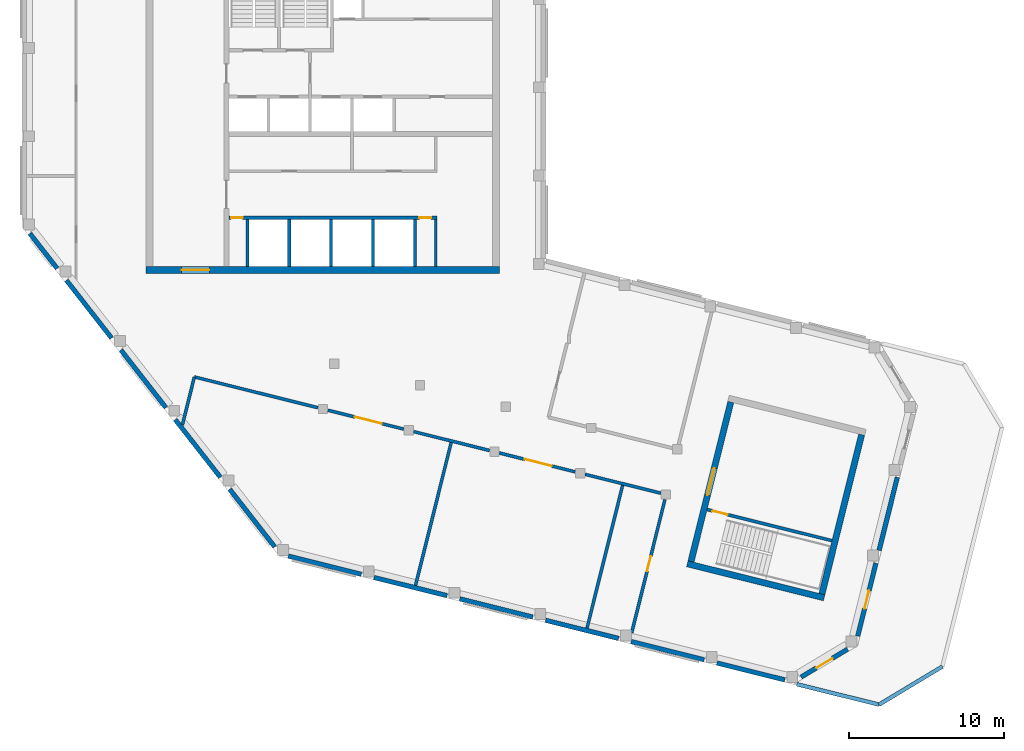
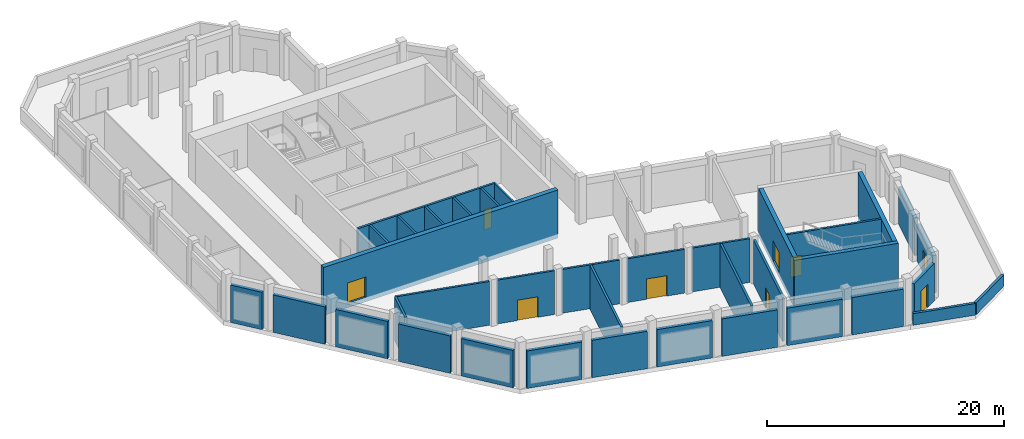
# One storey, part 2 of 6: 37 walls, 10 doors, 10 openings.
"""IFC4 building model written with IfcOpenShell, lengths in metres."""

from ifc_helpers import new_model, si_unit, direction, frame, frame_2d, origin, place, context, subcontext, project, spatial, rectangle, extrude, material, layer, layer_set, type_object, element, fill, save


model = new_model("IFC4")

# Units and contexts
model_context = context("Model", 3, precision=1e-05, world=origin(), true_north=direction((0.0, 1.0)))
body_context = subcontext(model_context, "Body", "Model", "MODEL_VIEW")
ifc_project = project(units=[si_unit("LENGTHUNIT", "METRE"), si_unit("AREAUNIT", "SQUARE_METRE"), si_unit("VOLUMEUNIT", "CUBIC_METRE"), si_unit("PLANEANGLEUNIT", "RADIAN"), si_unit("MASSUNIT", "GRAM", prefix="KILO")], contexts=[model_context])

# Site, building, storey
site_placement = place(None, origin())
site = spatial("IfcSite", under=ifc_project, at=site_placement, CompositionType="ELEMENT")
building_placement = place(site_placement, origin())
building = spatial("IfcBuilding", under=site, at=building_placement, Name="Meshkara Civic Tower", CompositionType="ELEMENT")
storey_placement = place(building_placement, frame((0.0, 0.0, 400.199951171875)))
storey = spatial("IfcBuildingStorey", under=building, at=storey_placement, Name="L92 Crown", CompositionType="ELEMENT", Elevation=400.199951171875)

# Walls
ifc_material_1 = material(Name="Insulated infill panel with bronze anodised aluminium cladding", Category="aluminium")
ifc_layer_1 = layer(ifc_material_1, 0.300048828125)
ifc_layer_set_1 = layer_set([ifc_layer_1], Name="CROWN WALL 300")
wall_type_1 = type_object("IfcWallType", Name="CROWN WALL 300", PredefinedType="SOLIDWALL", material=ifc_layer_set_1)
wall_1_placement = place(storey_placement, frame((0.51611328125, 16.68310546875, 0.0), z_axis=(0.0, 0.0, 1.0), x_axis=(0.615483207854, -0.788149998953, 0.0)))
element("IfcWall", 1, at=wall_1_placement, inside=storey, type_object=wall_type_1, Name="Crown external wall", PredefinedType="SOLIDWALL", context=body_context, shape_type="SweptSolid", body=[
    extrude(rectangle(XDim=2.857666015625, YDim=0.300048828125, at=frame_2d((1.4287109375, 0.0))), origin(), (0.0, 0.0, 1.0), 3.85009765625),
])
wall_2_placement = place(storey_placement, frame((2.8798828125, 13.656982421875, 0.0), z_axis=(0.0, 0.0, 1.0), x_axis=(0.61578764214, -0.787912165021, 0.0)))
element("IfcWall", 2, at=wall_2_placement, inside=storey, type_object=wall_type_1, Name="Crown external wall", PredefinedType="SOLIDWALL", context=body_context, shape_type="SweptSolid", body=[
    extrude(rectangle(XDim=4.717529296875, YDim=0.300048828125, at=frame_2d((2.35888671875, 0.0))), origin(), (0.0, 0.0, 1.0), 3.85009765625),
])
wall_3_placement = place(storey_placement, frame((6.388916015625, 9.1650390625, 0.0), z_axis=(0.0, 0.0, 1.0), x_axis=(0.61568721755, -0.7879906409, 0.0)))
element("IfcWall", 3, at=wall_3_placement, inside=storey, type_object=wall_type_1, Name="Crown external wall", PredefinedType="SOLIDWALL", context=body_context, shape_type="SweptSolid", body=[
    extrude(rectangle(XDim=4.71826171875, YDim=0.300048828125, at=frame_2d((2.359130859375, 0.0))), origin(), (0.0, 0.0, 1.0), 3.85009765625),
])
wall_4_placement = place(storey_placement, frame((9.89892578125, 4.673095703125, 0.0), z_axis=(0.0, 0.0, 1.0), x_axis=(0.615659107807, -0.788012603309, 0.0)))
element("IfcWall", 4, at=wall_4_placement, inside=storey, type_object=wall_type_1, Name="Crown external wall", PredefinedType="SOLIDWALL", context=body_context, shape_type="SweptSolid", body=[
    extrude(rectangle(XDim=4.717041015625, YDim=0.300048828125, at=frame_2d((2.3583984375, 0.0))), origin(), (0.0, 0.0, 1.0), 3.85009765625),
])
wall_5_placement = place(storey_placement, frame((13.407958984375, 0.181884765625, 0.0), z_axis=(0.0, 0.0, 1.0), x_axis=(0.61568421867, -0.78799298403, 0.0)))
element("IfcWall", 5, at=wall_5_placement, inside=storey, type_object=wall_type_1, Name="Crown external wall", PredefinedType="SOLIDWALL", context=body_context, shape_type="SweptSolid", body=[
    extrude(rectangle(XDim=4.716796875, YDim=0.300048828125, at=frame_2d((2.3583984375, 0.0))), origin(), (0.0, 0.0, 1.0), 3.85009765625),
])
wall_6_placement = place(storey_placement, frame((17.18994140625, -4.132080078125, 0.0), z_axis=(0.0, 0.0, 1.0), x_axis=(0.970343440388, -0.241730444287, 0.0)))
element("IfcWall", 6, at=wall_6_placement, inside=storey, type_object=wall_type_1, Name="Crown external wall", PredefinedType="SOLIDWALL", context=body_context, shape_type="SweptSolid", body=[
    extrude(rectangle(XDim=4.851806640625, YDim=0.300048828125, at=frame_2d((2.42578125, 0.0))), origin(), (0.0, 0.0, 1.0), 3.85009765625),
])
wall_7_placement = place(storey_placement, frame((22.720947265625, -5.510986328125, 0.0), z_axis=(0.0, 0.0, 1.0), x_axis=(0.970319867473, -0.241825049959, 0.0)))
element("IfcWall", 7, at=wall_7_placement, inside=storey, type_object=wall_type_1, Name="Crown external wall", PredefinedType="SOLIDWALL", context=body_context, shape_type="SweptSolid", body=[
    extrude(rectangle(XDim=4.85107421875, YDim=0.300048828125, at=frame_2d((2.425537109375, 0.0))), origin(), (0.0, 0.0, 1.0), 3.85009765625),
])
wall_8_placement = place(storey_placement, frame((28.2509765625, -6.888916015625, 0.0), z_axis=(0.0, 0.0, 1.0), x_axis=(0.970284401049, -0.241967314076, 0.0)))
element("IfcWall", 8, at=wall_8_placement, inside=storey, type_object=wall_type_1, Name="Crown external wall", PredefinedType="SOLIDWALL", context=body_context, shape_type="SweptSolid", body=[
    extrude(rectangle(XDim=4.852294921875, YDim=0.300048828125, at=frame_2d((2.42626953125, 0.0))), origin(), (0.0, 0.0, 1.0), 3.85009765625),
])
wall_9_placement = place(storey_placement, frame((33.781982421875, -8.26904296875, 0.0), z_axis=(0.0, 0.0, 1.0), x_axis=(0.970343440388, -0.241730444287, 0.0)))
element("IfcWall", 9, at=wall_9_placement, inside=storey, type_object=wall_type_1, Name="Crown external wall", PredefinedType="SOLIDWALL", context=body_context, shape_type="SweptSolid", body=[
    extrude(rectangle(XDim=4.851806640625, YDim=0.300048828125, at=frame_2d((2.42578125, 0.0))), origin(), (0.0, 0.0, 1.0), 3.85009765625),
])
wall_10_placement = place(storey_placement, frame((39.31298828125, -9.64794921875, 0.0), z_axis=(0.0, 0.0, 1.0), x_axis=(0.970319867473, -0.241825049959, 0.0)))
element("IfcWall", 10, at=wall_10_placement, inside=storey, type_object=wall_type_1, Name="Crown external wall", PredefinedType="SOLIDWALL", context=body_context, shape_type="SweptSolid", body=[
    extrude(rectangle(XDim=4.85107421875, YDim=0.300048828125, at=frame_2d((2.425537109375, 0.0))), origin(), (0.0, 0.0, 1.0), 3.85009765625),
])
wall_11_placement = place(storey_placement, frame((44.843017578125, -11.02587890625, 0.0), z_axis=(0.0, 0.0, 1.0), x_axis=(0.970256998142, -0.242077172729, 0.0)))
element("IfcWall", 11, at=wall_11_placement, inside=storey, type_object=wall_type_1, Name="Crown external wall", PredefinedType="SOLIDWALL", context=body_context, shape_type="SweptSolid", body=[
    extrude(rectangle(XDim=4.51123046875, YDim=0.300048828125, at=frame_2d((2.255615234375, 0.0))), origin(), (0.0, 0.0, 1.0), 3.85009765625),
])

# Wall, opening, door
wall_12_placement = place(storey_placement, frame((50.27001953125, -11.93896484375, 0.0), z_axis=(0.0, 0.0, 1.0), x_axis=(0.857216082003, 0.514956880481, 0.0)))
wall_12 = element("IfcWall", 12, at=wall_12_placement, inside=storey, type_object=wall_type_1, Name="Crown external wall", PredefinedType="SOLIDWALL", context=body_context, shape_type="SweptSolid", body=[
    extrude(rectangle(XDim=3.503173828125, YDim=0.300048828125, at=frame_2d((1.75146484375, 0.0))), origin(), (0.0, 0.0, 1.0), 3.85009765625),
])
opening_1_placement = place(wall_12_placement, frame((1.152099609375, 0.0, 0.0)))
opening_1 = element("IfcOpeningElement", 13, at=opening_1_placement, cuts=wall_12, Name="Opening L92 Crown-L005", PredefinedType="OPENING", context=body_context, shape_type="SweptSolid", body=[
    extrude(rectangle(XDim=1.199951171875, YDim=2.39990234375, at=frame_2d((0.60009765625, 1.199951171875))), frame((0.0, 0.159912109375, 0.0), z_axis=(0.0, -1.0, 0.0), x_axis=(1.0, 0.0, 0.0)), (0.0, 0.0, 1.0), 0.320068359375),
])
ifc_material_2 = material(Name="Steel S355", Category="steel")
door_type_1 = type_object("IfcDoorType", Name="ROOF ACCESS DOOR 1200x2400", OperationType="SINGLE_SWING_LEFT", PredefinedType="DOOR", material=ifc_material_2)
door_1_placement = place(opening_1_placement, origin())
door_1 = element("IfcDoor", 14, at=door_1_placement, inside=storey, type_object=door_type_1, Name="L92 Crown-L005", OperationType="SINGLE_SWING_LEFT", OverallHeight=2.39990234375, OverallWidth=1.199951171875, PredefinedType="DOOR", context=body_context, shape_type="SweptSolid", body=[
    extrude(rectangle(XDim=1.199951171875, YDim=2.39990234375, at=frame_2d((0.60009765625, 1.199951171875))), frame((0.0, 0.02490234375, 0.0), z_axis=(0.0, -1.0, 0.0), x_axis=(1.0, 0.0, 0.0)), (0.0, 0.0, 1.0), 0.050048828125),
])
fill(opening_1, door_1)

wall_13_placement = place(storey_placement, frame((53.924072265625, -9.291015625, 0.0), z_axis=(0.0, 0.0, 1.0), x_axis=(0.241919943578, 0.970296212968, 0.0)))
wall_13 = element("IfcWall", 15, at=wall_13_placement, inside=storey, type_object=wall_type_1, Name="Crown external wall", PredefinedType="SOLIDWALL", context=body_context, shape_type="SweptSolid", body=[
    extrude(rectangle(XDim=4.85205078125, YDim=0.300048828125, at=frame_2d((2.426025390625, 0.0))), origin(), (0.0, 0.0, 1.0), 3.85009765625),
])
opening_2_placement = place(wall_13_placement, frame((1.825927734375, 0.0, 0.0)))
opening_2 = element("IfcOpeningElement", 16, at=opening_2_placement, cuts=wall_13, Name="Opening L92 Crown-L006", PredefinedType="OPENING", context=body_context, shape_type="SweptSolid", body=[
    extrude(rectangle(XDim=1.199951171875, YDim=2.39990234375, at=frame_2d((0.60009765625, 1.199951171875))), frame((0.0, 0.159912109375, 0.0), z_axis=(0.0, -1.0, 0.0), x_axis=(1.0, 0.0, 0.0)), (0.0, 0.0, 1.0), 0.320068359375),
])
door_2_placement = place(opening_2_placement, origin())
door_2 = element("IfcDoor", 17, at=door_2_placement, inside=storey, type_object=door_type_1, Name="L92 Crown-L006", OperationType="SINGLE_SWING_LEFT", OverallHeight=2.39990234375, OverallWidth=1.199951171875, PredefinedType="DOOR", context=body_context, shape_type="SweptSolid", body=[
    extrude(rectangle(XDim=1.199951171875, YDim=2.39990234375, at=frame_2d((0.60009765625, 1.199951171875))), frame((0.0, 0.02490234375, 0.0), z_axis=(0.0, -1.0, 0.0), x_axis=(1.0, 0.0, 0.0)), (0.0, 0.0, 1.0), 0.050048828125),
])
fill(opening_2, door_2)

# Walls
wall_14_placement = place(storey_placement, frame((55.302978515625, -3.760009765625, 0.0), z_axis=(0.0, 0.0, 1.0), x_axis=(0.242014574744, 0.970272614069, 0.0)))
element("IfcWall", 18, at=wall_14_placement, inside=storey, type_object=wall_type_1, Name="Crown external wall", PredefinedType="SOLIDWALL", context=body_context, shape_type="SweptSolid", body=[
    extrude(rectangle(XDim=4.851318359375, YDim=0.300048828125, at=frame_2d((2.42578125, 0.0))), origin(), (0.0, 0.0, 1.0), 3.85009765625),
])
ifc_material_3 = material(Name="Blockwork", Category="masonry")
ifc_layer_2 = layer(ifc_material_3, 0.14990234375)
ifc_layer_set_2 = layer_set([ifc_layer_2], Name="Core partition 150")
wall_type_2 = type_object("IfcWallType", Name="Core partition 150", PredefinedType="PARTITIONING", material=ifc_layer_set_2)
wall_15_placement = place(storey_placement, frame((26.699951171875, 14.550048828125, 0.0), z_axis=(0.0, 0.0, 1.0), x_axis=(0.0, 1.0, 0.0)))
element("IfcWall", 19, at=wall_15_placement, inside=storey, type_object=wall_type_2, Name="L92 Crown-C024", PredefinedType="PARTITIONING", context=body_context, shape_type="SweptSolid", body=[
    extrude(rectangle(XDim=3.050048828125, YDim=0.14990234375, at=frame_2d((1.52490234375, 0.0))), origin(), (0.0, 0.0, 1.0), 4.5),
])

# Wall, opening, door
ifc_material_4 = material(Name="Concrete C50", Category="concrete")
ifc_layer_3 = layer(ifc_material_4, 0.449951171875)
ifc_layer_set_3 = layer_set([ifc_layer_3], Name="Core ring wall 450 C50")
wall_type_3 = type_object("IfcWallType", Name="Core ring wall 450 C50", PredefinedType="SHEAR", material=ifc_layer_set_3)
wall_16_placement = place(storey_placement, frame((8.0, 14.324951171875, -0.449951171875), z_axis=(0.0, 0.0, 1.0), x_axis=(1.0, 0.0, 0.0)))
wall_16 = element("IfcWall", 20, at=wall_16_placement, inside=storey, type_object=wall_type_3, Name="L92 Crown-C001", PredefinedType="SHEAR", context=body_context, shape_type="SweptSolid", body=[
    extrude(rectangle(XDim=22.800048828125, YDim=0.449951171875, at=frame_2d((11.39990234375, 0.0))), origin(), (0.0, 0.0, 1.0), 4.949951171875),
])
opening_3_placement = place(wall_16_placement, frame((2.300048828125, 0.0, 0.449951171875)))
opening_3 = element("IfcOpeningElement", 21, at=opening_3_placement, cuts=wall_16, Name="Opening L92 Crown-K018", PredefinedType="OPENING", context=body_context, shape_type="SweptSolid", body=[
    extrude(rectangle(XDim=1.800048828125, YDim=2.10009765625, at=frame_2d((0.89990234375, 1.050048828125))), frame((0.0, 0.23486328125, 0.0), z_axis=(0.0, -1.0, 0.0), x_axis=(1.0, 0.0, 0.0)), (0.0, 0.0, 1.0), 0.469970703125),
])
ifc_material_5 = material(Name="Fire-rated door leaf in steel frame", Category="steel")
door_type_2 = type_object("IfcDoorType", Name="Core double door 1800 EI 60", OperationType="DOUBLE_DOOR_SINGLE_SWING", PredefinedType="DOOR", material=ifc_material_5)
door_3_placement = place(opening_3_placement, origin())
door_3 = element("IfcDoor", 22, at=door_3_placement, inside=storey, type_object=door_type_2, Name="L92 Crown-K018", OperationType="DOUBLE_DOOR_SINGLE_SWING", OverallHeight=2.10009765625, OverallWidth=1.800048828125, PredefinedType="DOOR", context=body_context, shape_type="SweptSolid", body=[
    extrude(rectangle(XDim=1.800048828125, YDim=2.10009765625, at=frame_2d((0.89990234375, 1.050048828125))), frame((0.0, 0.02490234375, 0.0), z_axis=(0.0, -1.0, 0.0), x_axis=(1.0, 0.0, 0.0)), (0.0, 0.0, 1.0), 0.050048828125),
])
fill(opening_3, door_3)

# Wall
ifc_material_6 = material(Name="Concrete C50", Category="concrete")
ifc_layer_4 = layer(ifc_material_6, 0.39990234375)
ifc_layer_set_4 = layer_set([ifc_layer_4], Name="End core ring wall 400 C50")
wall_type_4 = type_object("IfcWallType", Name="End core ring wall 400 C50", PredefinedType="SHEAR", material=ifc_layer_set_4)
wall_17_placement = place(storey_placement, frame((42.927001953125, -4.6220703125, -0.449951171875), z_axis=(0.0, 0.0, 1.0), x_axis=(0.970287509026, -0.241954850805, 0.0)))
element("IfcWall", 23, at=wall_17_placement, inside=storey, type_object=wall_type_4, Name="L92 Crown-C026", PredefinedType="SHEAR", context=body_context, shape_type="SweptSolid", body=[
    extrude(rectangle(XDim=9.1005859375, YDim=0.39990234375, at=frame_2d((4.55029296875, 0.0))), origin(), (0.0, 0.0, 1.0), 4.949951171875),
])

# Wall, opening, door
wall_18_placement = place(storey_placement, frame((43.1689453125, -4.47705078125, -0.449951171875), z_axis=(0.0, 0.0, 1.0), x_axis=(0.2419503548, 0.970288630157, 0.0)))
wall_18 = element("IfcWall", 24, at=wall_18_placement, inside=storey, type_object=wall_type_4, Name="L92 Crown-C028", PredefinedType="SHEAR", context=body_context, shape_type="SweptSolid", body=[
    extrude(rectangle(XDim=10.60107421875, YDim=0.39990234375, at=frame_2d((5.300537109375, 0.0))), origin(), (0.0, 0.0, 1.0), 4.949951171875),
])
opening_4_placement = place(wall_18_placement, frame((4.39990234375, 0.0, 0.449951171875)))
opening_4 = element("IfcOpeningElement", 25, at=opening_4_placement, cuts=wall_18, Name="Opening L92 Crown-K202", PredefinedType="OPENING", context=body_context, shape_type="SweptSolid", body=[
    extrude(rectangle(XDim=1.800048828125, YDim=2.10009765625, at=frame_2d((0.89990234375, 1.050048828125))), frame((0.0, 0.2099609375, 0.0), z_axis=(0.0, -1.0, 0.0), x_axis=(1.0, 0.0, 0.0)), (0.0, 0.0, 1.0), 0.419921875),
])
door_4_placement = place(opening_4_placement, origin())
door_4 = element("IfcDoor", 26, at=door_4_placement, inside=storey, type_object=door_type_2, Name="L92 Crown-K202", OperationType="DOUBLE_DOOR_SINGLE_SWING", OverallHeight=2.10009765625, OverallWidth=1.800048828125, PredefinedType="DOOR", context=body_context, shape_type="SweptSolid", body=[
    extrude(rectangle(XDim=1.800048828125, YDim=2.10009765625, at=frame_2d((0.89990234375, 1.050048828125))), frame((0.0, 0.02490234375, 0.0), z_axis=(0.0, -1.0, 0.0), x_axis=(1.0, 0.0, 0.0)), (0.0, 0.0, 1.0), 0.050048828125),
])
fill(opening_4, door_4)

# Walls
wall_19_placement = place(storey_placement, frame((51.611083984375, -6.5810546875, -0.449951171875), z_axis=(0.0, 0.0, 1.0), x_axis=(0.241885246693, 0.97030486314, 0.0)))
element("IfcWall", 27, at=wall_19_placement, inside=storey, type_object=wall_type_4, Name="L92 Crown-C029", PredefinedType="SHEAR", context=body_context, shape_type="SweptSolid", body=[
    extrude(rectangle(XDim=10.599853515625, YDim=0.39990234375, at=frame_2d((5.2998046875, 0.0))), origin(), (0.0, 0.0, 1.0), 4.949951171875),
])
ifc_material_7 = material(Name="Fire-rated wall 200")
ifc_layer_5 = layer(ifc_material_7, 0.199951171875)
ifc_layer_set_5 = layer_set([ifc_layer_5], Name="Fire-rated wall 200")
wall_type_5 = type_object("IfcWallType", Name="Fire-rated wall 200", PredefinedType="PARTITIONING", material=ifc_layer_set_5)
wall_20_placement = place(storey_placement, frame((10.35595703125, 4.33203125, 0.0), z_axis=(0.0, 0.0, 1.0), x_axis=(0.241869632235, 0.970308755501, 0.0)))
element("IfcWall", 28, at=wall_20_placement, inside=storey, type_object=wall_type_5, Name="L92 Crown-R003", PredefinedType="PARTITIONING", context=body_context, shape_type="SweptSolid", body=[
    extrude(rectangle(XDim=3.191650390625, YDim=0.199951171875, at=frame_2d((1.595703125, 0.0))), origin(), (0.0, 0.0, 1.0), 4.5),
])
wall_21_placement = place(storey_placement, frame((11.1279296875, 7.428955078125, 0.0), z_axis=(0.0, 0.0, 1.0), x_axis=(0.970285587756, -0.241962555355, 0.0)))
element("IfcWall", 29, at=wall_21_placement, inside=storey, type_object=wall_type_5, Name="L92 Crown-R004", PredefinedType="PARTITIONING", context=body_context, shape_type="SweptSolid", body=[
    extrude(rectangle(XDim=8.22021484375, YDim=0.199951171875, at=frame_2d((4.110107421875, 0.0))), origin(), (0.0, 0.0, 1.0), 4.5),
])

# Wall, opening, door
wall_22_placement = place(storey_placement, frame((19.743896484375, 5.281005859375, 0.0), z_axis=(0.0, 0.0, 1.0), x_axis=(0.970262058426, -0.242056889963, 0.0)))
wall_22 = element("IfcWall", 30, at=wall_22_placement, inside=storey, type_object=wall_type_5, Name="L92 Crown-R005", PredefinedType="PARTITIONING", context=body_context, shape_type="SweptSolid", body=[
    extrude(rectangle(XDim=5.0400390625, YDim=0.199951171875, at=frame_2d((2.52001953125, 0.0))), origin(), (0.0, 0.0, 1.0), 4.5),
])
opening_5_placement = place(wall_22_placement, frame((1.780029296875, 0.0, 0.0)))
opening_5 = element("IfcOpeningElement", 31, at=opening_5_placement, cuts=wall_22, Name="Opening L92 Crown-P002", PredefinedType="OPENING", context=body_context, shape_type="SweptSolid", body=[
    extrude(rectangle(XDim=1.800048828125, YDim=2.10009765625, at=frame_2d((0.89990234375, 1.050048828125))), frame((0.0, 0.10986328125, 0.0), z_axis=(0.0, -1.0, 0.0), x_axis=(1.0, 0.0, 0.0)), (0.0, 0.0, 1.0), 0.219970703125),
])
ifc_material_8 = material(Name="Door pair 1800 x 2100")
door_type_3 = type_object("IfcDoorType", Name="Door pair 1800 x 2100", OperationType="SINGLE_SWING_LEFT", PredefinedType="DOOR", material=ifc_material_8)
door_5_placement = place(opening_5_placement, origin())
door_5 = element("IfcDoor", 32, at=door_5_placement, inside=storey, type_object=door_type_3, Name="L92 Crown-P002", OperationType="DOUBLE_DOOR_SINGLE_SWING", OverallHeight=2.10009765625, OverallWidth=1.800048828125, PredefinedType="DOOR", context=body_context, shape_type="SweptSolid", body=[
    extrude(rectangle(XDim=1.800048828125, YDim=2.10009765625, at=frame_2d((0.89990234375, 1.050048828125))), frame((0.0, 0.02490234375, 0.0), z_axis=(0.0, -1.0, 0.0), x_axis=(1.0, 0.0, 0.0)), (0.0, 0.0, 1.0), 0.050048828125),
])
fill(opening_5, door_5)

# Wall
wall_23_placement = place(storey_placement, frame((25.27392578125, 3.902099609375, 0.0), z_axis=(0.0, 0.0, 1.0), x_axis=(0.970262034576, -0.242056985565, 0.0)))
element("IfcWall", 33, at=wall_23_placement, inside=storey, type_object=wall_type_5, Name="L92 Crown-R006", PredefinedType="PARTITIONING", context=body_context, shape_type="SweptSolid", body=[
    extrude(rectangle(XDim=5.041015625, YDim=0.199951171875, at=frame_2d((2.5205078125, 0.0))), origin(), (0.0, 0.0, 1.0), 4.5),
])

# Wall, opening, door
wall_24_placement = place(storey_placement, frame((30.804931640625, 2.52294921875, 0.0), z_axis=(0.0, 0.0, 1.0), x_axis=(0.970273408026, -0.242011391629, 0.0)))
wall_24 = element("IfcWall", 34, at=wall_24_placement, inside=storey, type_object=wall_type_5, Name="L92 Crown-R007", PredefinedType="PARTITIONING", context=body_context, shape_type="SweptSolid", body=[
    extrude(rectangle(XDim=5.041015625, YDim=0.199951171875, at=frame_2d((2.5205078125, 0.0))), origin(), (0.0, 0.0, 1.0), 4.5),
])
opening_6_placement = place(wall_24_placement, frame((1.679931640625, 0.0, 0.0)))
opening_6 = element("IfcOpeningElement", 35, at=opening_6_placement, cuts=wall_24, Name="Opening L92 Crown-P003", PredefinedType="OPENING", context=body_context, shape_type="SweptSolid", body=[
    extrude(rectangle(XDim=1.800048828125, YDim=2.10009765625, at=frame_2d((0.89990234375, 1.050048828125))), frame((0.0, 0.10986328125, 0.0), z_axis=(0.0, -1.0, 0.0), x_axis=(1.0, 0.0, 0.0)), (0.0, 0.0, 1.0), 0.219970703125),
])
door_6_placement = place(opening_6_placement, origin())
door_6 = element("IfcDoor", 36, at=door_6_placement, inside=storey, type_object=door_type_3, Name="L92 Crown-P003", OperationType="DOUBLE_DOOR_SINGLE_SWING", OverallHeight=2.10009765625, OverallWidth=1.800048828125, PredefinedType="DOOR", context=body_context, shape_type="SweptSolid", body=[
    extrude(rectangle(XDim=1.800048828125, YDim=2.10009765625, at=frame_2d((0.89990234375, 1.050048828125))), frame((0.0, 0.02490234375, 0.0), z_axis=(0.0, -1.0, 0.0), x_axis=(1.0, 0.0, 0.0)), (0.0, 0.0, 1.0), 0.050048828125),
])
fill(opening_6, door_6)

# Wall
wall_25_placement = place(storey_placement, frame((36.3359375, 1.14404296875, 0.0), z_axis=(0.0, 0.0, 1.0), x_axis=(0.970307550033, -0.241874468163, 0.0)))
element("IfcWall", 37, at=wall_25_placement, inside=storey, type_object=wall_type_5, Name="L92 Crown-R011", PredefinedType="PARTITIONING", context=body_context, shape_type="SweptSolid", body=[
    extrude(rectangle(XDim=5.039794921875, YDim=0.199951171875, at=frame_2d((2.52001953125, 0.0))), origin(), (0.0, 0.0, 1.0), 4.5),
])

# Wall, opening, door
wall_26_placement = place(storey_placement, frame((41.487060546875, -0.47607421875, 0.0), z_axis=(0.0, 0.0, 1.0), x_axis=(-0.241932473616, -0.970293088819, 0.0)))
wall_26 = element("IfcWall", 38, at=wall_26_placement, inside=storey, type_object=wall_type_5, Name="L92 Crown-R013", PredefinedType="PARTITIONING", context=body_context, shape_type="SweptSolid", body=[
    extrude(rectangle(XDim=8.858154296875, YDim=0.199951171875, at=frame_2d((4.42919921875, 0.0))), origin(), (0.0, 0.0, 1.0), 4.5),
])
opening_7_placement = place(wall_26_placement, frame((3.780029296875, 0.0, 0.0)))
opening_7 = element("IfcOpeningElement", 39, at=opening_7_placement, cuts=wall_26, Name="Opening L92 Crown-P001", PredefinedType="OPENING", context=body_context, shape_type="SweptSolid", body=[
    extrude(rectangle(XDim=1.0, YDim=2.10009765625, at=frame_2d((0.5, 1.050048828125))), frame((0.0, 0.10986328125, 0.0), z_axis=(0.0, -1.0, 0.0), x_axis=(1.0, 0.0, 0.0)), (0.0, 0.0, 1.0), 0.219970703125),
])
ifc_material_9 = material(Name="Door 1000 x 2100")
door_type_4 = type_object("IfcDoorType", Name="Door 1000 x 2100", OperationType="SINGLE_SWING_LEFT", PredefinedType="DOOR", material=ifc_material_9)
door_7_placement = place(opening_7_placement, origin())
door_7 = element("IfcDoor", 40, at=door_7_placement, inside=storey, type_object=door_type_4, Name="L92 Crown-P001", OperationType="SINGLE_SWING_RIGHT", OverallHeight=2.10009765625, OverallWidth=1.0, PredefinedType="DOOR", context=body_context, shape_type="SweptSolid", body=[
    extrude(rectangle(XDim=1.0, YDim=2.10009765625, at=frame_2d((0.5, 1.050048828125))), frame((0.0, 0.02490234375, 0.0), z_axis=(0.0, -1.0, 0.0), x_axis=(1.0, 0.0, 0.0)), (0.0, 0.0, 1.0), 0.050048828125),
])
fill(opening_7, door_7)

# Walls
for number, where, z_axis, x_axis, name in (
    (41, (25.39697265625, -6.02294921875, 0.0), (0.0, 0.0, 1.0), (0.242000222655, 0.97027619379, 0.0), "L92 Crown-R018"),
    (42, (36.458984375, -8.781005859375, 0.0), (0.0, 0.0, 1.0), (0.241897946423, 0.970301697162, 0.0), "L92 Crown-R019"),
):
    element("IfcWall", number, at=place(storey_placement, frame(where, z_axis=z_axis, x_axis=x_axis)), inside=storey, type_object=wall_type_5, Name=name, PredefinedType="PARTITIONING", context=body_context, shape_type="SweptSolid", body=[
        extrude(rectangle(XDim=9.5498046875, YDim=0.199951171875, at=frame_2d((4.77490234375, 0.0))), origin(), (0.0, 0.0, 1.0), 4.5),
    ])
ifc_material_10 = material(Name="Concrete C40", Category="concrete")
ifc_layer_6 = layer(ifc_material_10, 0.25)
ifc_layer_set_6 = layer_set([ifc_layer_6], Name="ROOF PARAPET 250")
wall_type_6 = type_object("IfcWallType", Name="ROOF PARAPET 250", PredefinedType="PARAPET", material=ifc_layer_set_6)
wall_27_placement = place(storey_placement, frame((59.39208984375, -11.25390625, 0.0), z_axis=(0.0, 0.0, 1.0), x_axis=(-0.85717270169, -0.51502908605, 0.0)))
element("IfcWall", 43, at=wall_27_placement, inside=storey, type_object=wall_type_6, Name="Roof parapet", PredefinedType="PARAPET", context=body_context, shape_type="SweptSolid", body=[
    extrude(rectangle(XDim=4.77880859375, YDim=0.25, at=frame_2d((2.389404296875, 0.0))), origin(), (0.0, 0.0, 1.0), 1.199951171875),
])
wall_28_placement = place(storey_placement, frame((55.2958984375, -13.715087890625, 0.0), z_axis=(0.0, 0.0, 1.0), x_axis=(-0.970289613784, 0.241946410147, 0.0)))
element("IfcWall", 44, at=wall_28_placement, inside=storey, type_object=wall_type_6, Name="Roof parapet", PredefinedType="PARAPET", context=body_context, shape_type="SweptSolid", body=[
    extrude(rectangle(XDim=5.4599609375, YDim=0.25, at=frame_2d((2.72998046875, 0.0))), origin(), (0.0, 0.0, 1.0), 1.199951171875),
])

# Wall, openings, doors
ifc_material_11 = material(Name="Concrete C40/50", Category="concrete")
ifc_layer_7 = layer(ifc_material_11, 0.199951171875)
ifc_layer_set_7 = layer_set([ifc_layer_7], Name="Shaft wall 200 C40/50")
wall_type_7 = type_object("IfcWallType", Name="Shaft wall 200 C40/50", PredefinedType="SOLIDWALL", material=ifc_layer_set_7)
wall_29_placement = place(storey_placement, frame((13.35009765625, 17.699951171875, 0.0), z_axis=(0.0, 0.0, 1.0), x_axis=(1.0, 0.0, 0.0)))
wall_29 = element("IfcWall", 45, at=wall_29_placement, inside=storey, type_object=wall_type_7, Name="L92 Crown-C005", PredefinedType="SOLIDWALL", context=body_context, shape_type="SweptSolid", body=[
    extrude(rectangle(XDim=13.4248046875, YDim=0.199951171875, at=frame_2d((6.71240234375, 0.0))), origin(), (0.0, 0.0, 1.0), 4.5),
])
opening_8_placement = place(wall_29_placement, frame((0.14990234375, 0.0, 0.0)))
opening_8 = element("IfcOpeningElement", 46, at=opening_8_placement, cuts=wall_29, Name="Opening L92 Crown-K005", PredefinedType="OPENING", context=body_context, shape_type="SweptSolid", body=[
    extrude(rectangle(XDim=0.75, YDim=2.10009765625, at=frame_2d((0.375, 1.050048828125))), frame((0.0, 0.10986328125, 0.0), z_axis=(0.0, -1.0, 0.0), x_axis=(1.0, 0.0, 0.0)), (0.0, 0.0, 1.0), 0.219970703125),
])
opening_9_placement = place(wall_29_placement, frame((12.300048828125, 0.0, 0.0)))
opening_9 = element("IfcOpeningElement", 47, at=opening_9_placement, cuts=wall_29, Name="Opening L92 Crown-K006", PredefinedType="OPENING", context=body_context, shape_type="SweptSolid", body=[
    extrude(rectangle(XDim=0.75, YDim=2.10009765625, at=frame_2d((0.375, 1.050048828125))), frame((0.0, 0.10986328125, 0.0), z_axis=(0.0, -1.0, 0.0), x_axis=(1.0, 0.0, 0.0)), (0.0, 0.0, 1.0), 0.219970703125),
])
ifc_material_12 = material(Name="Timber door leaf in steel frame", Category="steel")
door_type_5 = type_object("IfcDoorType", Name="Core room door 750", OperationType="SINGLE_SWING_LEFT", PredefinedType="DOOR", material=ifc_material_12)
door_8_placement = place(opening_8_placement, origin())
door_8 = element("IfcDoor", 48, at=door_8_placement, inside=storey, type_object=door_type_5, Name="L92 Crown-K005", OperationType="SINGLE_SWING_RIGHT", OverallHeight=2.10009765625, OverallWidth=0.75, PredefinedType="DOOR", context=body_context, shape_type="SweptSolid", body=[
    extrude(rectangle(XDim=0.75, YDim=2.10009765625, at=frame_2d((0.375, 1.050048828125))), frame((0.0, 0.02490234375, 0.0), z_axis=(0.0, -1.0, 0.0), x_axis=(1.0, 0.0, 0.0)), (0.0, 0.0, 1.0), 0.050048828125),
])
fill(opening_8, door_8)
door_9_placement = place(opening_9_placement, origin())
door_9 = element("IfcDoor", 49, at=door_9_placement, inside=storey, type_object=door_type_5, Name="L92 Crown-K006", OperationType="SINGLE_SWING_RIGHT", OverallHeight=2.10009765625, OverallWidth=0.75, PredefinedType="DOOR", context=body_context, shape_type="SweptSolid", body=[
    extrude(rectangle(XDim=0.75, YDim=2.10009765625, at=frame_2d((0.375, 1.050048828125))), frame((0.0, 0.02490234375, 0.0), z_axis=(0.0, -1.0, 0.0), x_axis=(1.0, 0.0, 0.0)), (0.0, 0.0, 1.0), 0.050048828125),
])
fill(opening_9, door_9)

# Walls
for number, where, z_axis, x_axis, name in (
    (50, (14.550048828125, 14.550048828125, 0.0), (0.0, 0.0, 1.0), (0.0, 1.0, 0.0), "L92 Crown-C012"),
    (51, (17.25, 14.550048828125, 0.0), (0.0, 0.0, 1.0), (0.0, 1.0, 0.0), "L92 Crown-C015"),
    (52, (19.949951171875, 14.550048828125, 0.0), (0.0, 0.0, 1.0), (0.0, 1.0, 0.0), "L92 Crown-C017"),
    (53, (22.64990234375, 14.550048828125, 0.0), (0.0, 0.0, 1.0), (0.0, 1.0, 0.0), "L92 Crown-C021"),
    (54, (25.35009765625, 14.550048828125, 0.0), (0.0, 0.0, 1.0), (0.0, 1.0, 0.0), "L92 Crown-C023"),
):
    element("IfcWall", number, at=place(storey_placement, frame(where, z_axis=z_axis, x_axis=x_axis)), inside=storey, type_object=wall_type_7, Name=name, PredefinedType="SOLIDWALL", context=body_context, shape_type="SweptSolid", body=[
        extrude(rectangle(XDim=3.050048828125, YDim=0.199951171875, at=frame_2d((1.52490234375, 0.0))), origin(), (0.0, 0.0, 1.0), 4.5),
    ])

# Wall, opening, door
ifc_material_13 = material(Name="Concrete C40/50", Category="concrete")
ifc_layer_8 = layer(ifc_material_13, 0.199951171875)
ifc_layer_set_8 = layer_set([ifc_layer_8], Name="Stair enclosure wall 200 C40/50")
wall_type_8 = type_object("IfcWallType", Name="Stair enclosure wall 200 C40/50", PredefinedType="SOLIDWALL", material=ifc_layer_set_8)
wall_30_placement = place(storey_placement, frame((44.2099609375, -1.12890625, 0.0), z_axis=(0.0, 0.0, 1.0), x_axis=(0.970296288869, -0.241919639151, 0.0)))
wall_30 = element("IfcWall", 55, at=wall_30_placement, inside=storey, type_object=wall_type_8, Name="L92 Crown-C030", PredefinedType="SOLIDWALL", context=body_context, shape_type="SweptSolid", body=[
    extrude(rectangle(XDim=8.300537109375, YDim=0.199951171875, at=frame_2d((4.150390625, 0.0))), origin(), (0.0, 0.0, 1.0), 4.5),
])
opening_10_placement = place(wall_30_placement, frame((0.35009765625, 0.0, 0.0)))
opening_10 = element("IfcOpeningElement", 56, at=opening_10_placement, cuts=wall_30, Name="Opening L92 Crown-K201", PredefinedType="OPENING", context=body_context, shape_type="SweptSolid", body=[
    extrude(rectangle(XDim=1.0, YDim=2.10009765625, at=frame_2d((0.5, 1.050048828125))), frame((0.0, 0.10986328125, 0.0), z_axis=(0.0, -1.0, 0.0), x_axis=(1.0, 0.0, 0.0)), (0.0, 0.0, 1.0), 0.219970703125),
])
ifc_material_14 = material(Name="Fire-rated door leaf in steel frame", Category="steel")
door_type_6 = type_object("IfcDoorType", Name="Stair door 1000 EI 120", OperationType="SINGLE_SWING_LEFT", PredefinedType="DOOR", material=ifc_material_14)
door_10_placement = place(opening_10_placement, origin())
door_10 = element("IfcDoor", 57, at=door_10_placement, inside=storey, type_object=door_type_6, Name="L92 Crown-K201", OperationType="SINGLE_SWING_LEFT", OverallHeight=2.10009765625, OverallWidth=1.0, PredefinedType="DOOR", context=body_context, shape_type="SweptSolid", body=[
    extrude(rectangle(XDim=1.0, YDim=2.10009765625, at=frame_2d((0.5, 1.050048828125))), frame((0.0, 0.02490234375, 0.0), z_axis=(0.0, -1.0, 0.0), x_axis=(1.0, 0.0, 0.0)), (0.0, 0.0, 1.0), 0.050048828125),
])
fill(opening_10, door_10)

save(model, "model.ifc")
